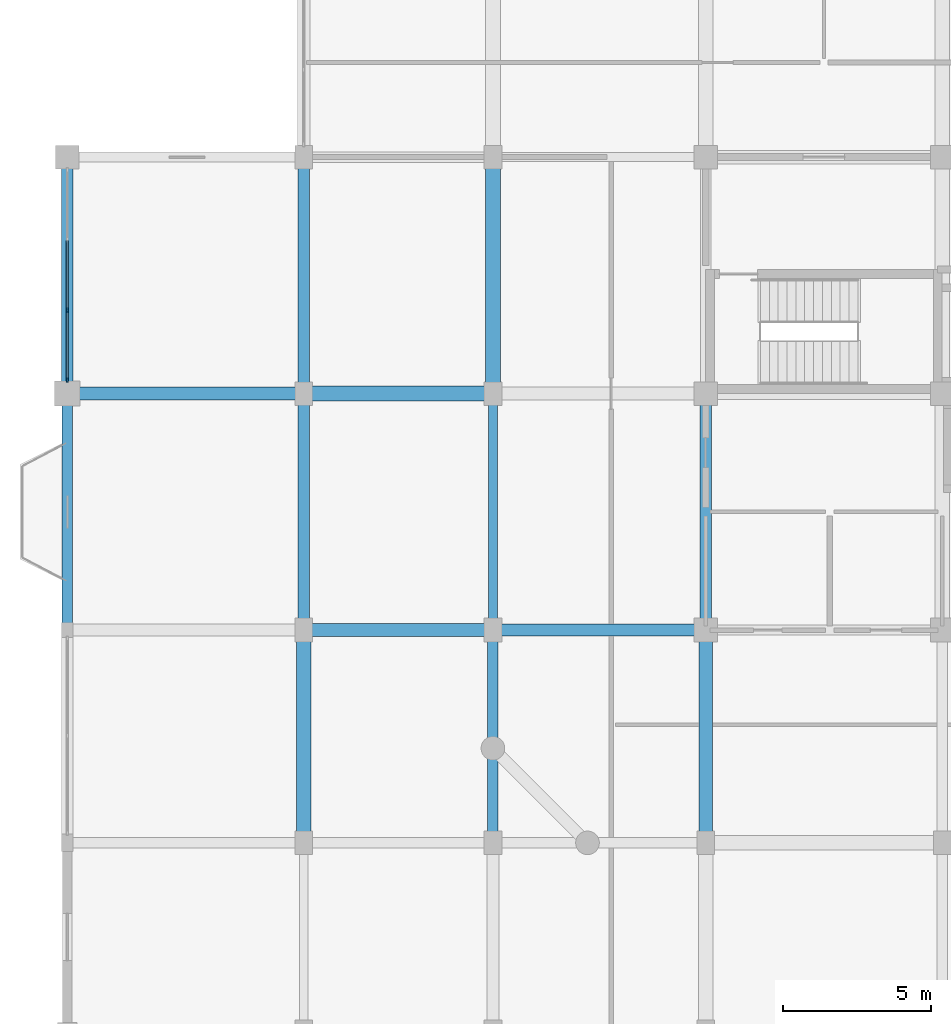
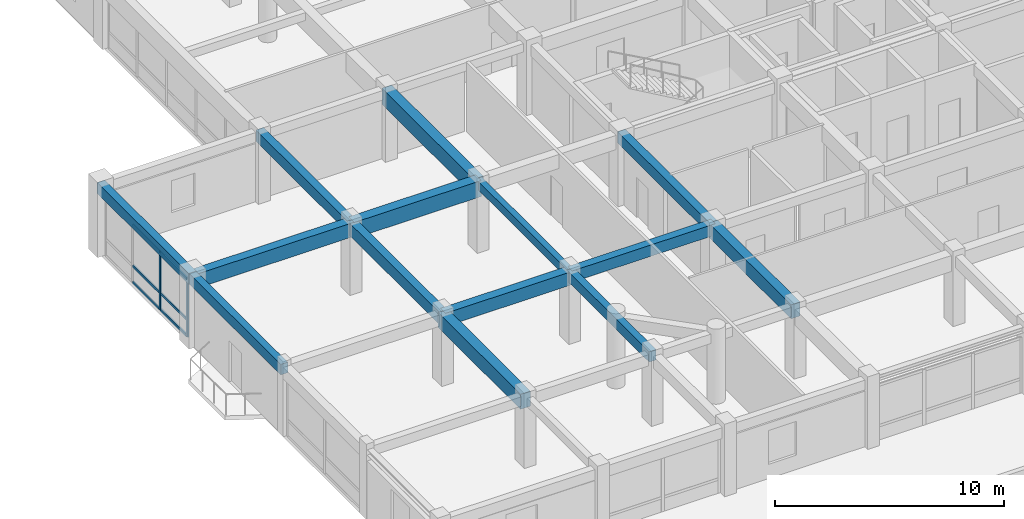
# One storey, part 3 of 20: 14 beams, 8 members, 1 element without a shape of its own.
"""IFC4 building model written with IfcOpenShell, lengths in metres."""

from ifc_helpers import new_model, si_unit, direction, frame, origin, origin_2d, place, context, subcontext, project, spatial, rectangle, extrude, material, material_profile, profile_set, type_object, element, aggregate, save


model = new_model("IFC4")

# Units and contexts
model_context = context("Model", 3, precision=1e-05, world=origin(), true_north=direction((0.0, 1.0)))
body_context = subcontext(model_context, "Body", "Model", "MODEL_VIEW")
ifc_project = project(units=[si_unit("LENGTHUNIT", "METRE"), si_unit("AREAUNIT", "SQUARE_METRE"), si_unit("VOLUMEUNIT", "CUBIC_METRE"), si_unit("PLANEANGLEUNIT", "RADIAN"), si_unit("MASSUNIT", "GRAM", prefix="KILO")], contexts=[model_context])

# Site, building, storey
site_placement = place(None, origin())
site = spatial("IfcSite", under=ifc_project, at=site_placement, CompositionType="ELEMENT")
building_placement = place(site_placement, origin())
building = spatial("IfcBuilding", under=site, at=building_placement, Name="Vellmiral Cinema and Media Centre", CompositionType="ELEMENT")
storey_placement = place(building_placement, frame((0.0, 0.0, 23.800048828125)))
storey = spatial("IfcBuildingStorey", under=building, at=storey_placement, Name="L05", CompositionType="ELEMENT", Elevation=23.800048828125)

# Beams
ifc_material_1 = material(Name="Concrete C40/50", Category="concrete")
ifc_material_profile_1 = material_profile(ifc_material_1, rectangle(XDim=0.300048828125, YDim=0.449951171875, at=origin_2d()), Name="RC 300x450")
ifc_profile_set_1 = profile_set([ifc_material_profile_1], Name="Concrete C40/50")
beam_type_1 = type_object("IfcBeamType", Name="BM-RC-300x450", PredefinedType="BEAM", material=ifc_profile_set_1)
beam_1_placement = place(storey_placement, frame((116.800048828125, 79.199951171875, 3.469970703125), z_axis=(0.0, 1.0, 0.0), x_axis=(-1.0, 0.0, 0.0)))
element("IfcBeam", 1, at=beam_1_placement, inside=storey, type_object=beam_type_1, Name="Grid Beam L05-Y066", PredefinedType="BEAM", context=body_context, shape_type="SweptSolid", body=[
    extrude(rectangle(XDim=0.300048828125, YDim=0.449951171875, at=origin_2d()), origin(), (0.0, 0.0, 1.0), 8.0),
])
ifc_material_2 = material(Name="Concrete C40/50", Category="concrete")
ifc_material_profile_2 = material_profile(ifc_material_2, rectangle(XDim=0.35009765625, YDim=0.550048828125, at=origin_2d()), Name="RC 350x550")
ifc_profile_set_2 = profile_set([ifc_material_profile_2], Name="Concrete C40/50")
beam_type_2 = type_object("IfcBeamType", Name="BM-RC-350x550", PredefinedType="BEAM", material=ifc_profile_set_2)
beam_2_placement = place(storey_placement, frame((116.800048828125, 72.0, 3.419921875), z_axis=(0.0, 1.0, 0.0), x_axis=(-1.0, 0.0, 0.0)))
element("IfcBeam", 2, at=beam_2_placement, inside=storey, type_object=beam_type_2, Name="Grid Beam L05-Y065", PredefinedType="BEAM", context=body_context, shape_type="SweptSolid", body=[
    extrude(rectangle(XDim=0.35009765625, YDim=0.550048828125, at=origin_2d()), origin(), (0.0, 0.0, 1.0), 7.199951171875),
])
ifc_material_3 = material(Name="Concrete C40/50", Category="concrete")
ifc_material_profile_3 = material_profile(ifc_material_3, rectangle(XDim=0.39990234375, YDim=0.60009765625, at=origin_2d()), Name="RC 400x600")
ifc_profile_set_3 = profile_set([ifc_material_profile_3], Name="Concrete C40/50")
beam_type_3 = type_object("IfcBeamType", Name="BM-RC-400x600", PredefinedType="BEAM", material=ifc_profile_set_3)
beam_3_placement = place(storey_placement, frame((116.800048828125, 79.199951171875, 3.39501953125), z_axis=(1.0, 0.0, 0.0), x_axis=(0.0, 1.0, 0.0)))
element("IfcBeam", 3, at=beam_3_placement, inside=storey, type_object=beam_type_3, Name="Grid Beam L05-X019", PredefinedType="BEAM", context=body_context, shape_type="SweptSolid", body=[
    extrude(rectangle(XDim=0.39990234375, YDim=0.60009765625, at=origin_2d()), origin(), (0.0, 0.0, 1.0), 7.199951171875),
])
for number, where, z_axis, x_axis, name in (
    (4, (110.39990234375, 87.199951171875, 3.39501953125), (0.0, 1.0, 0.0), (-1.0, 0.0, 0.0), "Grid Beam L05-Y061"),
    (5, (124.0, 79.199951171875, 3.39501953125), (0.0, 1.0, 0.0), (-1.0, 0.0, 0.0), "Grid Beam L05-Y072"),
):
    element("IfcBeam", number, at=place(storey_placement, frame(where, z_axis=z_axis, x_axis=x_axis)), inside=storey, type_object=beam_type_3, Name=name, PredefinedType="BEAM", context=body_context, shape_type="SweptSolid", body=[
        extrude(rectangle(XDim=0.39990234375, YDim=0.60009765625, at=origin_2d()), origin(), (0.0, 0.0, 1.0), 8.0),
    ])
ifc_material_4 = material(Name="Concrete C40/50", Category="concrete")
ifc_material_profile_4 = material_profile(ifc_material_4, rectangle(XDim=0.39990234375, YDim=0.64990234375, at=origin_2d()), Name="RC 400x650")
ifc_profile_set_4 = profile_set([ifc_material_profile_4], Name="Concrete C40/50")
beam_type_4 = type_object("IfcBeamType", Name="BM-RC-400x650", PredefinedType="BEAM", material=ifc_profile_set_4)
beam_4_placement = place(storey_placement, frame((110.39990234375, 79.199951171875, 3.369873046875), z_axis=(0.0, 1.0, 0.0), x_axis=(-1.0, 0.0, 0.0)))
element("IfcBeam", 6, at=beam_4_placement, inside=storey, type_object=beam_type_4, Name="Grid Beam L05-Y060", PredefinedType="BEAM", context=body_context, shape_type="SweptSolid", body=[
    extrude(rectangle(XDim=0.39990234375, YDim=0.64990234375, at=origin_2d()), origin(), (0.0, 0.0, 1.0), 8.0),
])
ifc_material_5 = material(Name="Concrete C40/50", Category="concrete")
ifc_material_profile_5 = material_profile(ifc_material_5, rectangle(XDim=0.449951171875, YDim=0.699951171875, at=origin_2d()), Name="RC 450x700")
ifc_profile_set_5 = profile_set([ifc_material_profile_5], Name="Concrete C40/50")
beam_type_5 = type_object("IfcBeamType", Name="BM-RC-450x700", PredefinedType="BEAM", material=ifc_profile_set_5)
beam_5_placement = place(storey_placement, frame((110.39990234375, 79.199951171875, 3.344970703125), z_axis=(1.0, 0.0, 0.0), x_axis=(0.0, 1.0, 0.0)))
element("IfcBeam", 7, at=beam_5_placement, inside=storey, type_object=beam_type_5, Name="Grid Beam L05-X018", PredefinedType="BEAM", context=body_context, shape_type="SweptSolid", body=[
    extrude(rectangle(XDim=0.449951171875, YDim=0.699951171875, at=origin_2d()), origin(), (0.0, 0.0, 1.0), 6.400146484375),
])
ifc_material_6 = material(Name="Concrete C40/50", Category="concrete")
ifc_material_profile_6 = material_profile(ifc_material_6, rectangle(XDim=0.449951171875, YDim=0.75, at=origin_2d()), Name="RC 450x750")
ifc_profile_set_6 = profile_set([ifc_material_profile_6], Name="Concrete C40/50")
beam_type_6 = type_object("IfcBeamType", Name="BM-RC-450x750", PredefinedType="BEAM", material=ifc_profile_set_6)
beam_6_placement = place(storey_placement, frame((102.39990234375, 87.199951171875, 3.320068359375), z_axis=(1.0, 0.0, 0.0), x_axis=(0.0, 1.0, 0.0)))
element("IfcBeam", 8, at=beam_6_placement, inside=storey, type_object=beam_type_6, Name="Grid Beam L05-X025", PredefinedType="BEAM", context=body_context, shape_type="SweptSolid", body=[
    extrude(rectangle(XDim=0.449951171875, YDim=0.75, at=origin_2d()), origin(), (0.0, 0.0, 1.0), 8.0),
])
beam_7_placement = place(storey_placement, frame((124.0, 72.0, 3.320068359375), z_axis=(0.0, 1.0, 0.0), x_axis=(-1.0, 0.0, 0.0)))
element("IfcBeam", 9, at=beam_7_placement, inside=storey, type_object=beam_type_6, Name="Grid Beam L05-Y071", PredefinedType="BEAM", context=body_context, shape_type="SweptSolid", body=[
    extrude(rectangle(XDim=0.449951171875, YDim=0.75, at=origin_2d()), origin(), (0.0, 0.0, 1.0), 7.199951171875),
])
ifc_material_7 = material(Name="Concrete C40/50", Category="concrete")
ifc_material_profile_7 = material_profile(ifc_material_7, rectangle(XDim=0.5, YDim=0.800048828125, at=origin_2d()), Name="RC 500x800")
ifc_profile_set_7 = profile_set([ifc_material_profile_7], Name="Concrete C40/50")
beam_type_7 = type_object("IfcBeamType", Name="BM-RC-500x800", PredefinedType="BEAM", material=ifc_profile_set_7)
beam_8_placement = place(storey_placement, frame((110.39990234375, 72.0, 3.294921875), z_axis=(0.0, 1.0, 0.0), x_axis=(-1.0, 0.0, 0.0)))
element("IfcBeam", 10, at=beam_8_placement, inside=storey, type_object=beam_type_7, Name="Grid Beam L05-Y059", PredefinedType="BEAM", context=body_context, shape_type="SweptSolid", body=[
    extrude(rectangle(XDim=0.5, YDim=0.800048828125, at=origin_2d()), origin(), (0.0, 0.0, 1.0), 7.199951171875),
])
ifc_material_8 = material(Name="Concrete C40/50", Category="concrete")
ifc_material_profile_8 = material_profile(ifc_material_8, rectangle(XDim=0.5, YDim=0.85009765625, at=origin_2d()), Name="RC 500x850")
ifc_profile_set_8 = profile_set([ifc_material_profile_8], Name="Concrete C40/50")
beam_type_8 = type_object("IfcBeamType", Name="BM-RC-500x850", PredefinedType="BEAM", material=ifc_profile_set_8)
beam_9_placement = place(storey_placement, frame((110.39990234375, 87.199951171875, 3.27001953125), z_axis=(1.0, 0.0, 0.0), x_axis=(0.0, 1.0, 0.0)))
element("IfcBeam", 11, at=beam_9_placement, inside=storey, type_object=beam_type_8, Name="Grid Beam L05-X026", PredefinedType="BEAM", context=body_context, shape_type="SweptSolid", body=[
    extrude(rectangle(XDim=0.5, YDim=0.85009765625, at=origin_2d()), origin(), (0.0, 0.0, 1.0), 6.400146484375),
])
beam_10_placement = place(storey_placement, frame((116.800048828125, 87.199951171875, 3.27001953125), z_axis=(0.0, 1.0, 0.0), x_axis=(-1.0, 0.0, 0.0)))
element("IfcBeam", 12, at=beam_10_placement, inside=storey, type_object=beam_type_8, Name="Grid Beam L05-Y067", PredefinedType="BEAM", context=body_context, shape_type="SweptSolid", body=[
    extrude(rectangle(XDim=0.5, YDim=0.85009765625, at=origin_2d()), origin(), (0.0, 0.0, 1.0), 8.0),
])

# Curtain wall, members
ifc_material_9 = material(Name="Thermally Broken Aluminium and Triple Glazing", Category="aluminium")
curtain_wall_type = type_object("IfcCurtainWallType", Name="CW-TOWER-LOW-N", PredefinedType="USERDEFINED", material=ifc_material_9)
curtain_wall_placement = place(storey_placement, origin())
curtain_wall = element("IfcCurtainWall", 13, at=curtain_wall_placement, inside=storey, type_object=curtain_wall_type, Name="Curtain Wall L05-B028", ObjectType="UNITISED CURTAIN WALL", PredefinedType="USERDEFINED")
ifc_material_10 = material(Name="Thermally Broken Anodised Aluminium", Category="aluminium")
ifc_material_profile_9 = material_profile(ifc_material_10, rectangle(XDim=0.06494140625, YDim=0.159912109375, at=origin_2d()), Name="MULL 65x160")
ifc_profile_set_9 = profile_set([ifc_material_profile_9], Name="Thermally Broken Anodised Aluminium")
member_type_1 = type_object("IfcMemberType", Name="CWM-65x160", PredefinedType="MULLION", material=ifc_profile_set_9)
member_1_placement = place(storey_placement, frame((102.39990234375, 90.0166015625, 0.0), z_axis=(0.0, 0.0, 1.0), x_axis=(1.0, 0.0, 0.0)))
member_1 = element("IfcMember", 14, at=member_1_placement, type_object=member_type_1, Name="CW-05 mullion 3", PredefinedType="MULLION", context=body_context, shape_type="SweptSolid", body=[
    extrude(rectangle(XDim=0.06494140625, YDim=0.159912109375, at=origin_2d()), origin(), (0.0, 0.0, 1.0), 3.099853515625),
])
member_2_placement = place(storey_placement, frame((102.39990234375, 87.657470703125, 0.0), z_axis=(0.0, 0.0, 1.0), x_axis=(1.0, 0.0, 0.0)))
member_2 = element("IfcMember", 15, at=member_2_placement, type_object=member_type_1, Name="CW-05 mullion 4", PredefinedType="MULLION", context=body_context, shape_type="SweptSolid", body=[
    extrude(rectangle(XDim=0.06494140625, YDim=0.159912109375, at=origin_2d()), origin(), (0.0, 0.0, 1.0), 3.099853515625),
])
ifc_material_11 = material(Name="Thermally Broken Anodised Aluminium", Category="aluminium")
ifc_material_profile_10 = material_profile(ifc_material_11, rectangle(XDim=0.06494140625, YDim=0.135009765625, at=origin_2d()), Name="MULL 65x135")
ifc_profile_set_10 = profile_set([ifc_material_profile_10], Name="Thermally Broken Anodised Aluminium")
member_type_2 = type_object("IfcMemberType", Name="CWT-65x135", PredefinedType="USERDEFINED", material=ifc_profile_set_10)
member_3_placement = place(storey_placement, frame((102.39990234375, 92.375732421875, 0.032470703125), z_axis=(0.0, -1.0, 0.0), x_axis=(1.0, 0.0, 0.0)))
member_3 = element("IfcMember", 16, at=member_3_placement, type_object=member_type_2, Name="CW-05 transom 2.1", ObjectType="TRANSOM", PredefinedType="USERDEFINED", context=body_context, shape_type="SweptSolid", body=[
    extrude(rectangle(XDim=0.06494140625, YDim=0.135009765625, at=origin_2d()), origin(), (0.0, 0.0, 1.0), 2.32666015625),
])
member_4_placement = place(storey_placement, frame((102.39990234375, 92.375732421875, 0.89990234375), z_axis=(0.0, -1.0, 0.0), x_axis=(1.0, 0.0, 0.0)))
member_4 = element("IfcMember", 17, at=member_4_placement, type_object=member_type_2, Name="CW-05 transom 2.2", ObjectType="TRANSOM", PredefinedType="USERDEFINED", context=body_context, shape_type="SweptSolid", body=[
    extrude(rectangle(XDim=0.06494140625, YDim=0.135009765625, at=origin_2d()), origin(), (0.0, 0.0, 1.0), 2.32666015625),
])
member_5_placement = place(storey_placement, frame((102.39990234375, 92.375732421875, 3.0673828125), z_axis=(0.0, -1.0, 0.0), x_axis=(1.0, 0.0, 0.0)))
member_5 = element("IfcMember", 18, at=member_5_placement, type_object=member_type_2, Name="CW-05 transom 2.3", ObjectType="TRANSOM", PredefinedType="USERDEFINED", context=body_context, shape_type="SweptSolid", body=[
    extrude(rectangle(XDim=0.06494140625, YDim=0.135009765625, at=origin_2d()), origin(), (0.0, 0.0, 1.0), 2.32666015625),
])
member_6_placement = place(storey_placement, frame((102.39990234375, 89.984130859375, 0.032470703125), z_axis=(0.0, -1.0, 0.0), x_axis=(1.0, 0.0, 0.0)))
member_6 = element("IfcMember", 19, at=member_6_placement, type_object=member_type_2, Name="CW-05 transom 3.1", ObjectType="TRANSOM", PredefinedType="USERDEFINED", context=body_context, shape_type="SweptSolid", body=[
    extrude(rectangle(XDim=0.06494140625, YDim=0.135009765625, at=origin_2d()), origin(), (0.0, 0.0, 1.0), 2.294189453125),
])
member_7_placement = place(storey_placement, frame((102.39990234375, 89.984130859375, 0.89990234375), z_axis=(0.0, -1.0, 0.0), x_axis=(1.0, 0.0, 0.0)))
member_7 = element("IfcMember", 20, at=member_7_placement, type_object=member_type_2, Name="CW-05 transom 3.2", ObjectType="TRANSOM", PredefinedType="USERDEFINED", context=body_context, shape_type="SweptSolid", body=[
    extrude(rectangle(XDim=0.06494140625, YDim=0.135009765625, at=origin_2d()), origin(), (0.0, 0.0, 1.0), 2.294189453125),
])
member_8_placement = place(storey_placement, frame((102.39990234375, 89.984130859375, 3.0673828125), z_axis=(0.0, -1.0, 0.0), x_axis=(1.0, 0.0, 0.0)))
member_8 = element("IfcMember", 21, at=member_8_placement, type_object=member_type_2, Name="CW-05 transom 3.3", ObjectType="TRANSOM", PredefinedType="USERDEFINED", context=body_context, shape_type="SweptSolid", body=[
    extrude(rectangle(XDim=0.06494140625, YDim=0.135009765625, at=origin_2d()), origin(), (0.0, 0.0, 1.0), 2.294189453125),
])
aggregate(curtain_wall, [member_1, member_2, member_3, member_4, member_5, member_6, member_7, member_8])

# Beams
ifc_material_12 = material(Name="Concrete C40/50", Category="concrete")
ifc_material_profile_11 = material_profile(ifc_material_12, rectangle(XDim=0.35009765625, YDim=0.56005859375, at=origin_2d()), Name="RC 350x560")
ifc_profile_set_11 = profile_set([ifc_material_profile_11], Name="Concrete C40/50")
beam_type_9 = type_object("IfcBeamType", Name="SPD-RC-350x560", PredefinedType="SPANDREL", material=ifc_profile_set_11)
beam_11_placement = place(storey_placement, frame((102.39990234375, 79.199951171875, 3.4150390625), z_axis=(0.0, 1.0, 0.0), x_axis=(-1.0, 0.0, 0.0)))
element("IfcBeam", 22, at=beam_11_placement, inside=storey, type_object=beam_type_9, Name="Grid Beam L05-Y056", PredefinedType="SPANDREL", context=body_context, shape_type="SweptSolid", body=[
    extrude(rectangle(XDim=0.35009765625, YDim=0.56005859375, at=origin_2d()), origin(), (0.0, 0.0, 1.0), 8.0),
])
ifc_material_13 = material(Name="Vosges Red Sandstone Masonry", Category="masonry")
ifc_material_profile_12 = material_profile(ifc_material_13, rectangle(XDim=0.3798828125, YDim=0.580078125, at=origin_2d()), Name="SAND 380x580")
ifc_profile_set_12 = profile_set([ifc_material_profile_12], Name="Vosges Red Sandstone Masonry")
beam_type_10 = type_object("IfcBeamType", Name="SPD-SAND-380x580", PredefinedType="SPANDREL", material=ifc_profile_set_12)
beam_12_placement = place(storey_placement, frame((102.39990234375, 87.199951171875, 3.405029296875), z_axis=(0.0, 1.0, 0.0), x_axis=(-1.0, 0.0, 0.0)))
element("IfcBeam", 23, at=beam_12_placement, inside=storey, type_object=beam_type_10, Name="Grid Beam L05-Y057", PredefinedType="SPANDREL", context=body_context, shape_type="SweptSolid", body=[
    extrude(rectangle(XDim=0.3798828125, YDim=0.580078125, at=origin_2d()), origin(), (0.0, 0.0, 1.0), 8.0),
])

save(model, "model.ifc")
